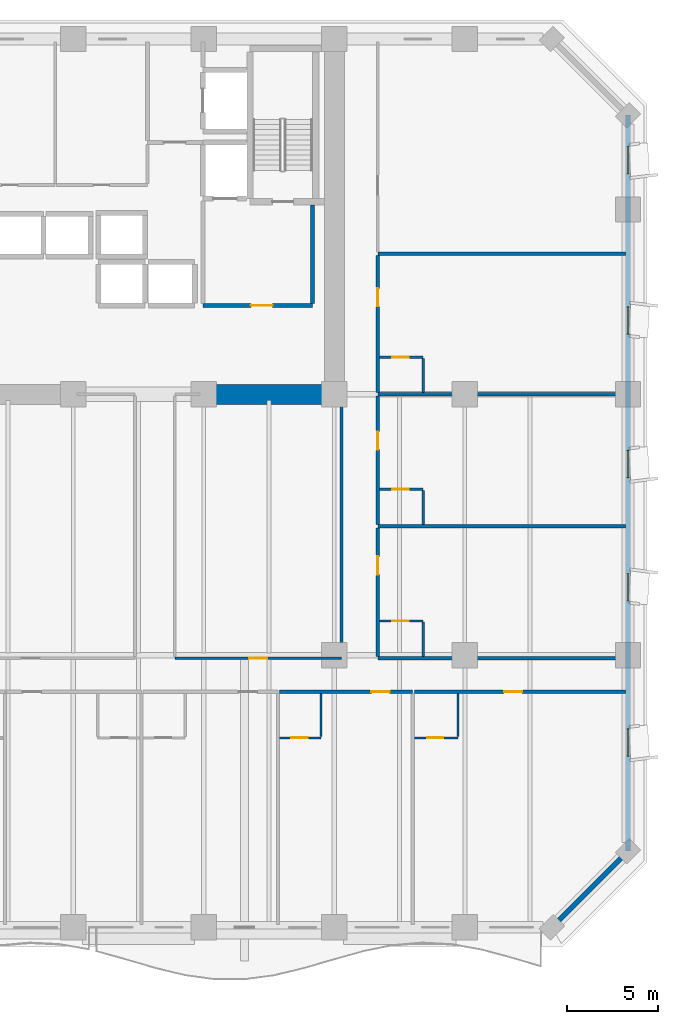
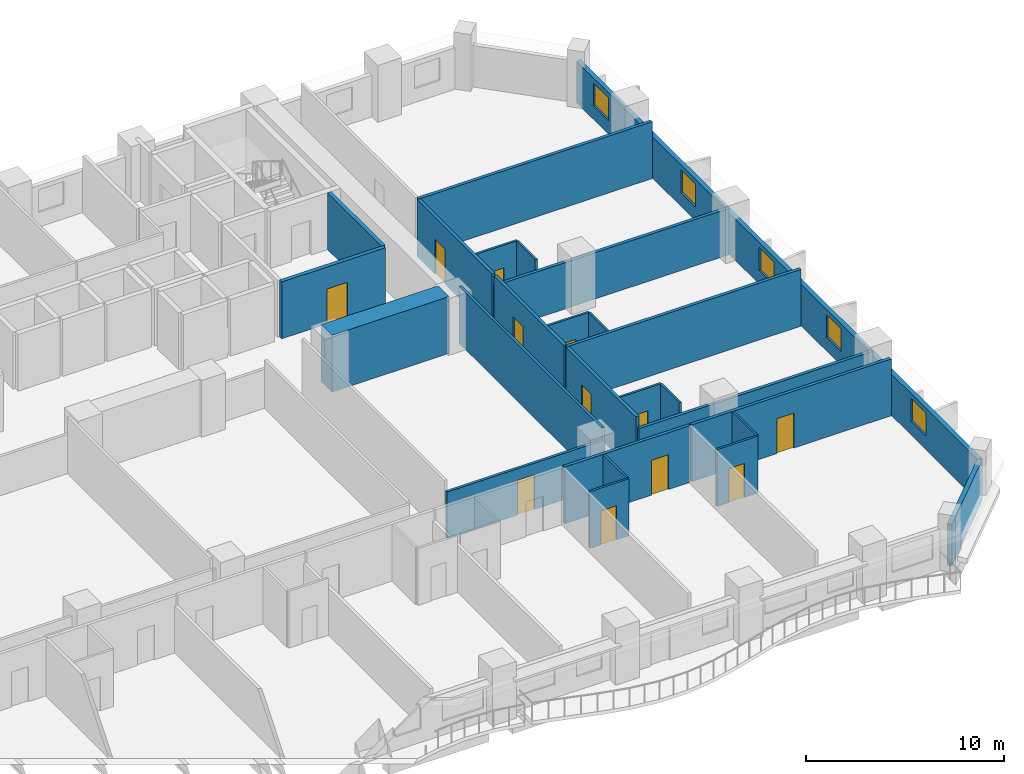
# One storey, part 10 of 15: 26 walls, 12 doors, 5 windows, 17 openings.
"""IFC4 building model written with IfcOpenShell, lengths in metres."""

from ifc_helpers import new_model, si_unit, direction, frame, frame_2d, origin, place, context, subcontext, project, spatial, rectangle, extrude, material, layer, layer_set, type_object, element, fill, save


model = new_model("IFC4")

# Units and contexts
model_context = context("Model", 3, precision=1e-05, world=origin(), true_north=direction((0.0, 1.0)))
body_context = subcontext(model_context, "Body", "Model", "MODEL_VIEW")
ifc_project = project(units=[si_unit("LENGTHUNIT", "METRE"), si_unit("AREAUNIT", "SQUARE_METRE"), si_unit("VOLUMEUNIT", "CUBIC_METRE"), si_unit("PLANEANGLEUNIT", "RADIAN"), si_unit("MASSUNIT", "GRAM", prefix="KILO")], contexts=[model_context])

# Site, building, storey
site_placement = place(None, origin())
site = spatial("IfcSite", under=ifc_project, at=site_placement, CompositionType="ELEMENT")
building_placement = place(site_placement, origin())
building = spatial("IfcBuilding", under=site, at=building_placement, Name="Kaelvorn Grand Hotel", CompositionType="ELEMENT")
storey_placement = place(building_placement, frame((0.0, 0.0, 61.39990234375)))
storey = spatial("IfcBuildingStorey", under=building, at=storey_placement, Name="L13", CompositionType="ELEMENT", Elevation=61.39990234375)

# Walls
ifc_material_1 = material(Name="Concrete C80/95", Category="concrete")
ifc_layer_1 = layer(ifc_material_1, 1.10009765625)
ifc_layer_set_1 = layer_set([ifc_layer_1], Name="Concrete C80/95")
wall_type_1 = type_object("IfcWallType", Name="WL-CORE-1100-C80", PredefinedType="SHEAR", material=ifc_layer_set_1)
wall_1_placement = place(storey_placement, frame((60.39990234375, 29.39990234375, 0.0), z_axis=(0.0, 0.0, 1.0), x_axis=(1.0, 0.0, 0.0)))
element("IfcWall", 1, at=wall_1_placement, inside=storey, type_object=wall_type_1, Name="L13 Rear-Core Coupled Shear Pier S4", PredefinedType="SHEAR", context=body_context, shape_type="SweptSolid", body=[
    extrude(rectangle(XDim=6.84521484375, YDim=1.10009765625, at=frame_2d((3.422607421875, 0.0))), origin(), (0.0, 0.0, 1.0), 3.510009765625),
])
ifc_material_2 = material(Name="Concrete C40/50", Category="concrete")
ifc_layer_2 = layer(ifc_material_2, 0.260009765625)
ifc_layer_set_2 = layer_set([ifc_layer_2], Name="Concrete C40/50")
wall_type_2 = type_object("IfcWallType", Name="WL-EXT-260-C40", PredefinedType="SOLIDWALL", material=ifc_layer_set_2)
wall_2_placement = place(storey_placement, frame((79.800048828125, 0.0, 0.0), z_axis=(0.0, 0.0, 1.0), x_axis=(0.707106781187, 0.707106781187, 0.0)))
element("IfcWall", 2, at=wall_2_placement, inside=storey, type_object=wall_type_2, Name="L13 Exterior Architectural Concrete Wall 02", PredefinedType="SOLIDWALL", context=body_context, shape_type="SweptSolid", body=[
    extrude(rectangle(XDim=5.939697265625, YDim=0.260009765625, at=frame_2d((2.9697265625, 0.0))), origin(), (0.0, 0.0, 1.0), 2.56005859375),
])

# Wall, openings, windows
wall_3_placement = place(storey_placement, frame((84.0, 4.199951171875, 0.0), z_axis=(0.0, 0.0, 1.0), x_axis=(0.0, 1.0, 0.0)))
wall_3 = element("IfcWall", 3, at=wall_3_placement, inside=storey, type_object=wall_type_2, Name="L13 Exterior Architectural Concrete Wall 03", PredefinedType="SOLIDWALL", context=body_context, shape_type="SweptSolid", body=[
    extrude(rectangle(XDim=40.60009765625, YDim=0.260009765625, at=frame_2d((20.300048828125, 0.0))), origin(), (0.0, 0.0, 1.0), 2.56005859375),
])
opening_1_placement = place(wall_3_placement, frame((5.25, 0.0, 0.85009765625)))
opening_1 = element("IfcOpeningElement", 4, at=opening_1_placement, cuts=wall_3, Name="Opening W10", PredefinedType="OPENING", context=body_context, shape_type="SweptSolid", body=[
    extrude(rectangle(XDim=1.5, YDim=1.39990234375, at=frame_2d((0.75, 0.699951171875))), frame((0.0, 0.14013671875, 0.0), z_axis=(0.0, -1.0, 0.0), x_axis=(1.0, 0.0, 0.0)), (0.0, 0.0, 1.0), 0.280029296875),
])
opening_2_placement = place(wall_3_placement, frame((13.81005859375, 0.0, 0.85009765625)))
opening_2 = element("IfcOpeningElement", 5, at=opening_2_placement, cuts=wall_3, Name="Opening W10", PredefinedType="OPENING", context=body_context, shape_type="SweptSolid", body=[
    extrude(rectangle(XDim=1.5, YDim=1.39990234375, at=frame_2d((0.75, 0.699951171875))), frame((0.0, 0.14013671875, 0.0), z_axis=(0.0, -1.0, 0.0), x_axis=(1.0, 0.0, 0.0)), (0.0, 0.0, 1.0), 0.280029296875),
])
opening_3_placement = place(wall_3_placement, frame((20.610107421875, 0.0, 0.85009765625)))
opening_3 = element("IfcOpeningElement", 6, at=opening_3_placement, cuts=wall_3, Name="Opening W10", PredefinedType="OPENING", context=body_context, shape_type="SweptSolid", body=[
    extrude(rectangle(XDim=1.5, YDim=1.39990234375, at=frame_2d((0.75, 0.699951171875))), frame((0.0, 0.14013671875, 0.0), z_axis=(0.0, -1.0, 0.0), x_axis=(1.0, 0.0, 0.0)), (0.0, 0.0, 1.0), 0.280029296875),
])
opening_4_placement = place(wall_3_placement, frame((28.52490234375, 0.0, 0.85009765625)))
opening_4 = element("IfcOpeningElement", 7, at=opening_4_placement, cuts=wall_3, Name="Opening W10", PredefinedType="OPENING", context=body_context, shape_type="SweptSolid", body=[
    extrude(rectangle(XDim=1.5, YDim=1.39990234375, at=frame_2d((0.75, 0.699951171875))), frame((0.0, 0.14013671875, 0.0), z_axis=(0.0, -1.0, 0.0), x_axis=(1.0, 0.0, 0.0)), (0.0, 0.0, 1.0), 0.280029296875),
])
opening_5_placement = place(wall_3_placement, frame((37.364990234375, 0.0, 0.85009765625)))
opening_5 = element("IfcOpeningElement", 8, at=opening_5_placement, cuts=wall_3, Name="Opening W10", PredefinedType="OPENING", context=body_context, shape_type="SweptSolid", body=[
    extrude(rectangle(XDim=1.5, YDim=1.39990234375, at=frame_2d((0.75, 0.699951171875))), frame((0.0, 0.14013671875, 0.0), z_axis=(0.0, -1.0, 0.0), x_axis=(1.0, 0.0, 0.0)), (0.0, 0.0, 1.0), 0.280029296875),
])
ifc_material_3 = material(Name="Laminated Low-E Glass", Category="glass")
window_type = type_object("IfcWindowType", Name="WIN-COR-1500x1400", PartitioningType="SINGLE_PANEL", PredefinedType="WINDOW", material=ifc_material_3)
window_1_placement = place(opening_1_placement, origin())
window_1 = element("IfcWindow", 9, at=window_1_placement, inside=storey, type_object=window_type, Name="L13 E Wing Tilted-Frame Ribbon Window E01", OverallHeight=1.39990234375, OverallWidth=1.5, PartitioningType="SINGLE_PANEL", PredefinedType="WINDOW", context=body_context, shape_type="SweptSolid", body=[
    extrude(rectangle(XDim=1.5, YDim=1.39990234375, at=frame_2d((0.75, 0.699951171875))), frame((0.0, 0.030029296875, 0.0), z_axis=(0.0, -1.0, 0.0), x_axis=(1.0, 0.0, 0.0)), (0.0, 0.0, 1.0), 0.06005859375),
])
fill(opening_1, window_1)
window_2_placement = place(opening_2_placement, origin())
window_2 = element("IfcWindow", 10, at=window_2_placement, inside=storey, type_object=window_type, Name="L13 E Wing Tilted-Frame Ribbon Window E02", OverallHeight=1.39990234375, OverallWidth=1.5, PartitioningType="SINGLE_PANEL", PredefinedType="WINDOW", context=body_context, shape_type="SweptSolid", body=[
    extrude(rectangle(XDim=1.5, YDim=1.39990234375, at=frame_2d((0.75, 0.699951171875))), frame((0.0, 0.030029296875, 0.0), z_axis=(0.0, -1.0, 0.0), x_axis=(1.0, 0.0, 0.0)), (0.0, 0.0, 1.0), 0.06005859375),
])
fill(opening_2, window_2)
window_3_placement = place(opening_3_placement, origin())
window_3 = element("IfcWindow", 11, at=window_3_placement, inside=storey, type_object=window_type, Name="L13 E Wing Tilted-Frame Ribbon Window E03", OverallHeight=1.39990234375, OverallWidth=1.5, PartitioningType="SINGLE_PANEL", PredefinedType="WINDOW", context=body_context, shape_type="SweptSolid", body=[
    extrude(rectangle(XDim=1.5, YDim=1.39990234375, at=frame_2d((0.75, 0.699951171875))), frame((0.0, 0.030029296875, 0.0), z_axis=(0.0, -1.0, 0.0), x_axis=(1.0, 0.0, 0.0)), (0.0, 0.0, 1.0), 0.06005859375),
])
fill(opening_3, window_3)
window_4_placement = place(opening_4_placement, origin())
window_4 = element("IfcWindow", 12, at=window_4_placement, inside=storey, type_object=window_type, Name="L13 E Wing Tilted-Frame Ribbon Window E04", OverallHeight=1.39990234375, OverallWidth=1.5, PartitioningType="SINGLE_PANEL", PredefinedType="WINDOW", context=body_context, shape_type="SweptSolid", body=[
    extrude(rectangle(XDim=1.5, YDim=1.39990234375, at=frame_2d((0.75, 0.699951171875))), frame((0.0, 0.030029296875, 0.0), z_axis=(0.0, -1.0, 0.0), x_axis=(1.0, 0.0, 0.0)), (0.0, 0.0, 1.0), 0.06005859375),
])
fill(opening_4, window_4)
window_5_placement = place(opening_5_placement, origin())
window_5 = element("IfcWindow", 13, at=window_5_placement, inside=storey, type_object=window_type, Name="L13 E Wing Tilted-Frame Ribbon Window E05", OverallHeight=1.39990234375, OverallWidth=1.5, PartitioningType="SINGLE_PANEL", PredefinedType="WINDOW", context=body_context, shape_type="SweptSolid", body=[
    extrude(rectangle(XDim=1.5, YDim=1.39990234375, at=frame_2d((0.75, 0.699951171875))), frame((0.0, 0.030029296875, 0.0), z_axis=(0.0, -1.0, 0.0), x_axis=(1.0, 0.0, 0.0)), (0.0, 0.0, 1.0), 0.06005859375),
])
fill(opening_5, window_5)

# Wall, opening, door
ifc_material_4 = material(Name="Moisture-Resistant Tile & Stud Board")
ifc_layer_3 = layer(ifc_material_4, 0.125)
ifc_layer_set_3 = layer_set([ifc_layer_3], Name="Moisture-Resistant Tile & Stud Board")
wall_type_3 = type_object("IfcWallType", Name="WL-PART-125-WET", PredefinedType="PARTITIONING", material=ifc_layer_set_3)
wall_4_placement = place(storey_placement, frame((64.78564453125, 10.449951171875, 0.0), z_axis=(0.0, 0.0, 1.0), x_axis=(1.0, 0.0, 0.0)))
wall_4 = element("IfcWall", 14, at=wall_4_placement, inside=storey, type_object=wall_type_3, Name="L13 En-suite Bathroom L13-09 S Partition", PredefinedType="PARTITIONING", context=body_context, shape_type="SweptSolid", body=[
    extrude(rectangle(XDim=2.284912109375, YDim=0.125, at=frame_2d((1.142578125, 0.0))), origin(), (0.0, 0.0, 1.0), 3.510009765625),
])
opening_6_placement = place(wall_4_placement, frame((0.64990234375, 0.0, 0.0)))
opening_6 = element("IfcOpeningElement", 15, at=opening_6_placement, cuts=wall_4, Name="Opening DI4", PredefinedType="OPENING", context=body_context, shape_type="SweptSolid", body=[
    extrude(rectangle(XDim=0.89990234375, YDim=2.10009765625, at=frame_2d((0.449951171875, 1.050048828125))), frame((0.0, 0.072509765625, 0.0), z_axis=(0.0, -1.0, 0.0), x_axis=(1.0, 0.0, 0.0)), (0.0, 0.0, 1.0), 0.14501953125),
])
ifc_material_5 = material(Name="Timber Veneer Leaf", Category="wood")
door_type_1 = type_object("IfcDoorType", Name="DR-INT-BATH-900x2100", OperationType="NOTDEFINED", PredefinedType="DOOR", material=ifc_material_5)
door_1_placement = place(opening_6_placement, origin())
door_1 = element("IfcDoor", 16, at=door_1_placement, inside=storey, type_object=door_type_1, Name="L13 En-suite Bathroom L13-09 Door", OperationType="SINGLE_SWING_LEFT", OverallHeight=2.10009765625, OverallWidth=0.89990234375, PredefinedType="DOOR", context=body_context, shape_type="SweptSolid", body=[
    extrude(rectangle(XDim=0.89990234375, YDim=2.10009765625, at=frame_2d((0.449951171875, 1.050048828125))), frame((0.0, 0.02490234375, 0.0), z_axis=(0.0, -1.0, 0.0), x_axis=(1.0, 0.0, 0.0)), (0.0, 0.0, 1.0), 0.050048828125),
])
fill(opening_6, door_1)

# Wall
wall_5_placement = place(storey_placement, frame((67.070556640625, 10.517578125, 0.0), z_axis=(0.0, 0.0, 1.0), x_axis=(0.0, 1.0, 0.0)))
element("IfcWall", 17, at=wall_5_placement, inside=storey, type_object=wall_type_3, Name="L13 En-suite Bathroom L13-09 E Partition", PredefinedType="PARTITIONING", context=body_context, shape_type="SweptSolid", body=[
    extrude(rectangle(XDim=2.387451171875, YDim=0.125, at=frame_2d((1.19384765625, 0.0))), origin(), (0.0, 0.0, 1.0), 3.510009765625),
])

# Wall, opening, door
wall_6_placement = place(storey_placement, frame((72.21533203125, 10.449951171875, 0.0), z_axis=(0.0, 0.0, 1.0), x_axis=(1.0, 0.0, 0.0)))
wall_6 = element("IfcWall", 18, at=wall_6_placement, inside=storey, type_object=wall_type_3, Name="L13 En-suite Bathroom L13-10 S Partition", PredefinedType="PARTITIONING", context=body_context, shape_type="SweptSolid", body=[
    extrude(rectangle(XDim=2.405029296875, YDim=0.125, at=frame_2d((1.20263671875, 0.0))), origin(), (0.0, 0.0, 1.0), 3.510009765625),
])
opening_7_placement = place(wall_6_placement, frame((0.705078125, 0.0, 0.0)))
opening_7 = element("IfcOpeningElement", 19, at=opening_7_placement, cuts=wall_6, Name="Opening DI4", PredefinedType="OPENING", context=body_context, shape_type="SweptSolid", body=[
    extrude(rectangle(XDim=0.89990234375, YDim=2.10009765625, at=frame_2d((0.449951171875, 1.050048828125))), frame((0.0, 0.072509765625, 0.0), z_axis=(0.0, -1.0, 0.0), x_axis=(1.0, 0.0, 0.0)), (0.0, 0.0, 1.0), 0.14501953125),
])
door_2_placement = place(opening_7_placement, origin())
door_2 = element("IfcDoor", 20, at=door_2_placement, inside=storey, type_object=door_type_1, Name="L13 En-suite Bathroom L13-10 Door", OperationType="SINGLE_SWING_LEFT", OverallHeight=2.10009765625, OverallWidth=0.89990234375, PredefinedType="DOOR", context=body_context, shape_type="SweptSolid", body=[
    extrude(rectangle(XDim=0.89990234375, YDim=2.10009765625, at=frame_2d((0.449951171875, 1.050048828125))), frame((0.0, 0.02490234375, 0.0), z_axis=(0.0, -1.0, 0.0), x_axis=(1.0, 0.0, 0.0)), (0.0, 0.0, 1.0), 0.050048828125),
])
fill(opening_7, door_2)

# Wall
wall_7_placement = place(storey_placement, frame((74.620361328125, 10.517578125, 0.0), z_axis=(0.0, 0.0, 1.0), x_axis=(0.0, 1.0, 0.0)))
element("IfcWall", 21, at=wall_7_placement, inside=storey, type_object=wall_type_3, Name="L13 En-suite Bathroom L13-10 E Partition", PredefinedType="PARTITIONING", context=body_context, shape_type="SweptSolid", body=[
    extrude(rectangle(XDim=2.387451171875, YDim=0.125, at=frame_2d((1.19384765625, 0.0))), origin(), (0.0, 0.0, 1.0), 3.510009765625),
])

# Wall, opening, door
wall_8_placement = place(storey_placement, frame((70.294921875, 16.89990234375, 0.0), z_axis=(0.0, 0.0, 1.0), x_axis=(1.0, 0.0, 0.0)))
wall_8 = element("IfcWall", 22, at=wall_8_placement, inside=storey, type_object=wall_type_3, Name="L13 En-suite Bathroom L13-13 N Partition", PredefinedType="PARTITIONING", context=body_context, shape_type="SweptSolid", body=[
    extrude(rectangle(XDim=2.405029296875, YDim=0.125, at=frame_2d((1.20263671875, 0.0))), origin(), (0.0, 0.0, 1.0), 3.510009765625),
])
opening_8_placement = place(wall_8_placement, frame((0.705078125, 0.0, 0.0)))
opening_8 = element("IfcOpeningElement", 23, at=opening_8_placement, cuts=wall_8, Name="Opening DI4", PredefinedType="OPENING", context=body_context, shape_type="SweptSolid", body=[
    extrude(rectangle(XDim=0.89990234375, YDim=2.10009765625, at=frame_2d((0.449951171875, 1.050048828125))), frame((0.0, 0.072509765625, 0.0), z_axis=(0.0, -1.0, 0.0), x_axis=(1.0, 0.0, 0.0)), (0.0, 0.0, 1.0), 0.14501953125),
])
door_3_placement = place(opening_8_placement, origin())
door_3 = element("IfcDoor", 24, at=door_3_placement, inside=storey, type_object=door_type_1, Name="L13 En-suite Bathroom L13-13 Door", OperationType="SINGLE_SWING_RIGHT", OverallHeight=2.10009765625, OverallWidth=0.89990234375, PredefinedType="DOOR", context=body_context, shape_type="SweptSolid", body=[
    extrude(rectangle(XDim=0.89990234375, YDim=2.10009765625, at=frame_2d((0.449951171875, 1.050048828125))), frame((0.0, 0.02490234375, 0.0), z_axis=(0.0, -1.0, 0.0), x_axis=(1.0, 0.0, 0.0)), (0.0, 0.0, 1.0), 0.050048828125),
])
fill(opening_8, door_3)

# Wall
wall_9_placement = place(storey_placement, frame((72.699951171875, 14.945068359375, 0.0), z_axis=(0.0, 0.0, 1.0), x_axis=(0.0, 1.0, 0.0)))
element("IfcWall", 25, at=wall_9_placement, inside=storey, type_object=wall_type_3, Name="L13 En-suite Bathroom L13-13 E Partition", PredefinedType="PARTITIONING", context=body_context, shape_type="SweptSolid", body=[
    extrude(rectangle(XDim=1.887451171875, YDim=0.125, at=frame_2d((0.94384765625, 0.0))), origin(), (0.0, 0.0, 1.0), 3.510009765625),
])

# Wall, opening, door
wall_10_placement = place(storey_placement, frame((70.294921875, 24.169921875, 0.0), z_axis=(0.0, 0.0, 1.0), x_axis=(1.0, 0.0, 0.0)))
wall_10 = element("IfcWall", 26, at=wall_10_placement, inside=storey, type_object=wall_type_3, Name="L13 En-suite Bathroom L13-14 N Partition", PredefinedType="PARTITIONING", context=body_context, shape_type="SweptSolid", body=[
    extrude(rectangle(XDim=2.405029296875, YDim=0.125, at=frame_2d((1.20263671875, 0.0))), origin(), (0.0, 0.0, 1.0), 3.510009765625),
])
opening_9_placement = place(wall_10_placement, frame((0.705078125, 0.0, 0.0)))
opening_9 = element("IfcOpeningElement", 27, at=opening_9_placement, cuts=wall_10, Name="Opening DI4", PredefinedType="OPENING", context=body_context, shape_type="SweptSolid", body=[
    extrude(rectangle(XDim=0.89990234375, YDim=2.10009765625, at=frame_2d((0.449951171875, 1.050048828125))), frame((0.0, 0.072509765625, 0.0), z_axis=(0.0, -1.0, 0.0), x_axis=(1.0, 0.0, 0.0)), (0.0, 0.0, 1.0), 0.14501953125),
])
door_4_placement = place(opening_9_placement, origin())
door_4 = element("IfcDoor", 28, at=door_4_placement, inside=storey, type_object=door_type_1, Name="L13 En-suite Bathroom L13-14 Door", OperationType="SINGLE_SWING_RIGHT", OverallHeight=2.10009765625, OverallWidth=0.89990234375, PredefinedType="DOOR", context=body_context, shape_type="SweptSolid", body=[
    extrude(rectangle(XDim=0.89990234375, YDim=2.10009765625, at=frame_2d((0.449951171875, 1.050048828125))), frame((0.0, 0.02490234375, 0.0), z_axis=(0.0, -1.0, 0.0), x_axis=(1.0, 0.0, 0.0)), (0.0, 0.0, 1.0), 0.050048828125),
])
fill(opening_9, door_4)

# Wall
wall_11_placement = place(storey_placement, frame((72.699951171875, 22.215087890625, 0.0), z_axis=(0.0, 0.0, 1.0), x_axis=(0.0, 1.0, 0.0)))
element("IfcWall", 29, at=wall_11_placement, inside=storey, type_object=wall_type_3, Name="L13 En-suite Bathroom L13-14 E Partition", PredefinedType="PARTITIONING", context=body_context, shape_type="SweptSolid", body=[
    extrude(rectangle(XDim=1.887451171875, YDim=0.125, at=frame_2d((0.94384765625, 0.0))), origin(), (0.0, 0.0, 1.0), 3.510009765625),
])

# Wall, opening, door
wall_12_placement = place(storey_placement, frame((70.294921875, 31.449951171875, 0.0), z_axis=(0.0, 0.0, 1.0), x_axis=(1.0, 0.0, 0.0)))
wall_12 = element("IfcWall", 30, at=wall_12_placement, inside=storey, type_object=wall_type_3, Name="L13 En-suite Bathroom L13-16 N Partition", PredefinedType="PARTITIONING", context=body_context, shape_type="SweptSolid", body=[
    extrude(rectangle(XDim=2.405029296875, YDim=0.125, at=frame_2d((1.20263671875, 0.0))), origin(), (0.0, 0.0, 1.0), 3.510009765625),
])
opening_10_placement = place(wall_12_placement, frame((0.705078125, 0.0, 0.0)))
opening_10 = element("IfcOpeningElement", 31, at=opening_10_placement, cuts=wall_12, Name="Opening DI4", PredefinedType="OPENING", context=body_context, shape_type="SweptSolid", body=[
    extrude(rectangle(XDim=0.89990234375, YDim=2.10009765625, at=frame_2d((0.449951171875, 1.050048828125))), frame((0.0, 0.072509765625, 0.0), z_axis=(0.0, -1.0, 0.0), x_axis=(1.0, 0.0, 0.0)), (0.0, 0.0, 1.0), 0.14501953125),
])
door_5_placement = place(opening_10_placement, origin())
door_5 = element("IfcDoor", 32, at=door_5_placement, inside=storey, type_object=door_type_1, Name="L13 En-suite Bathroom L13-16 Door", OperationType="SINGLE_SWING_LEFT", OverallHeight=2.10009765625, OverallWidth=0.89990234375, PredefinedType="DOOR", context=body_context, shape_type="SweptSolid", body=[
    extrude(rectangle(XDim=0.89990234375, YDim=2.10009765625, at=frame_2d((0.449951171875, 1.050048828125))), frame((0.0, 0.02490234375, 0.0), z_axis=(0.0, -1.0, 0.0), x_axis=(1.0, 0.0, 0.0)), (0.0, 0.0, 1.0), 0.050048828125),
])
fill(opening_10, door_5)

# Wall
wall_13_placement = place(storey_placement, frame((72.699951171875, 29.4951171875, 0.0), z_axis=(0.0, 0.0, 1.0), x_axis=(0.0, 1.0, 0.0)))
element("IfcWall", 33, at=wall_13_placement, inside=storey, type_object=wall_type_3, Name="L13 En-suite Bathroom L13-16 E Partition", PredefinedType="PARTITIONING", context=body_context, shape_type="SweptSolid", body=[
    extrude(rectangle(XDim=1.887451171875, YDim=0.125, at=frame_2d((0.94384765625, 0.0))), origin(), (0.0, 0.0, 1.0), 3.510009765625),
])

# Wall, opening, door
ifc_material_6 = material(Name="Acoustic Gypsum & Stud Partition")
ifc_layer_4 = layer(ifc_material_6, 0.14990234375)
ifc_layer_set_4 = layer_set([ifc_layer_4], Name="Acoustic Gypsum & Stud Partition")
wall_type_4 = type_object("IfcWallType", Name="WL-PART-150-EI60", PredefinedType="PARTITIONING", material=ifc_layer_set_4)
wall_14_placement = place(storey_placement, frame((59.0, 14.85009765625, 0.0), z_axis=(0.0, 0.0, 1.0), x_axis=(1.0, 0.0, 0.0)))
wall_14 = element("IfcWall", 34, at=wall_14_placement, inside=storey, type_object=wall_type_4, Name="L13 Executive Meeting Room S Partition", PredefinedType="PARTITIONING", context=body_context, shape_type="SweptSolid", body=[
    extrude(rectangle(XDim=9.199951171875, YDim=0.14990234375, at=frame_2d((4.60009765625, 0.0))), origin(), (0.0, 0.0, 1.0), 2.860107421875),
])
opening_11_placement = place(wall_14_placement, frame((4.10009765625, 0.0, 0.0)))
opening_11 = element("IfcOpeningElement", 35, at=opening_11_placement, cuts=wall_14, Name="Opening DI3", PredefinedType="OPENING", context=body_context, shape_type="SweptSolid", body=[
    extrude(rectangle(XDim=1.0, YDim=2.14990234375, at=frame_2d((0.5, 1.074951171875))), frame((0.0, 0.0849609375, 0.0), z_axis=(0.0, -1.0, 0.0), x_axis=(1.0, 0.0, 0.0)), (0.0, 0.0, 1.0), 0.169921875),
])
ifc_material_7 = material(Name="Timber Veneer Fire Leaf", Category="wood")
door_type_2 = type_object("IfcDoorType", Name="DR-INT-GUEST-1000x2150", OperationType="NOTDEFINED", PredefinedType="DOOR", material=ifc_material_7)
door_6_placement = place(opening_11_placement, origin())
door_6 = element("IfcDoor", 36, at=door_6_placement, inside=storey, type_object=door_type_2, Name="L13 Executive Meeting Room Door", OperationType="SINGLE_SWING_RIGHT", OverallHeight=2.14990234375, OverallWidth=1.0, PredefinedType="DOOR", context=body_context, shape_type="SweptSolid", body=[
    extrude(rectangle(XDim=1.0, YDim=2.14990234375, at=frame_2d((0.5, 1.074951171875))), frame((0.0, 0.02490234375, 0.0), z_axis=(0.0, -1.0, 0.0), x_axis=(1.0, 0.0, 0.0)), (0.0, 0.0, 1.0), 0.050048828125),
])
fill(opening_11, door_6)

# Wall
wall_15_placement = place(storey_placement, frame((68.199951171875, 14.929931640625, 0.0), z_axis=(0.0, 0.0, 1.0), x_axis=(0.0, 1.0, 0.0)))
element("IfcWall", 37, at=wall_15_placement, inside=storey, type_object=wall_type_4, Name="L13 Executive Meeting Room E Partition", PredefinedType="PARTITIONING", context=body_context, shape_type="SweptSolid", body=[
    extrude(rectangle(XDim=14.4599609375, YDim=0.14990234375, at=frame_2d((7.22998046875, 0.0))), origin(), (0.0, 0.0, 1.0), 3.510009765625),
])

# Wall, opening, door
ifc_layer_5 = layer(ifc_material_6, 0.179931640625)
ifc_layer_set_5 = layer_set([ifc_layer_5], Name="Acoustic Gypsum & Stud Partition")
wall_type_5 = type_object("IfcWallType", Name="WL-PART-180-EI60", PredefinedType="PARTITIONING", material=ifc_layer_set_5)
wall_16_placement = place(storey_placement, frame((64.78564453125, 13.0, 0.0), z_axis=(0.0, 0.0, 1.0), x_axis=(1.0, 0.0, 0.0)))
wall_16 = element("IfcWall", 38, at=wall_16_placement, inside=storey, type_object=wall_type_5, Name="L13 Deluxe Panoramic Suite L13-09 N Partition", PredefinedType="PARTITIONING", context=body_context, shape_type="SweptSolid", body=[
    extrude(rectangle(XDim=7.334716796875, YDim=0.179931640625, at=frame_2d((3.66748046875, 0.0))), origin(), (0.0, 0.0, 1.0), 3.510009765625),
])
opening_12_placement = place(wall_16_placement, frame((5.064453125, 0.0, 0.0)))
opening_12 = element("IfcOpeningElement", 39, at=opening_12_placement, cuts=wall_16, Name="Opening DI3", PredefinedType="OPENING", context=body_context, shape_type="SweptSolid", body=[
    extrude(rectangle(XDim=1.0, YDim=2.14990234375, at=frame_2d((0.5, 1.074951171875))), frame((0.0, 0.10009765625, 0.0), z_axis=(0.0, -1.0, 0.0), x_axis=(1.0, 0.0, 0.0)), (0.0, 0.0, 1.0), 0.199951171875),
])
door_7_placement = place(opening_12_placement, origin())
door_7 = element("IfcDoor", 40, at=door_7_placement, inside=storey, type_object=door_type_2, Name="L13 Deluxe Panoramic Suite L13-09 Door", OperationType="SINGLE_SWING_RIGHT", OverallHeight=2.14990234375, OverallWidth=1.0, PredefinedType="DOOR", context=body_context, shape_type="SweptSolid", body=[
    extrude(rectangle(XDim=1.0, YDim=2.14990234375, at=frame_2d((0.5, 1.074951171875))), frame((0.0, 0.02490234375, 0.0), z_axis=(0.0, -1.0, 0.0), x_axis=(1.0, 0.0, 0.0)), (0.0, 0.0, 1.0), 0.050048828125),
])
fill(opening_12, door_7)

wall_17_placement = place(storey_placement, frame((72.21533203125, 13.0, 0.0), z_axis=(0.0, 0.0, 1.0), x_axis=(1.0, 0.0, 0.0)))
wall_17 = element("IfcWall", 41, at=wall_17_placement, inside=storey, type_object=wall_type_5, Name="L13 Deluxe Panoramic Suite L13-10 N Partition", PredefinedType="PARTITIONING", context=body_context, shape_type="SweptSolid", body=[
    extrude(rectangle(XDim=11.634765625, YDim=0.179931640625, at=frame_2d((5.8173828125, 0.0))), origin(), (0.0, 0.0, 1.0), 3.510009765625),
])
opening_13_placement = place(wall_17_placement, frame((4.94970703125, 0.0, 0.0)))
opening_13 = element("IfcOpeningElement", 42, at=opening_13_placement, cuts=wall_17, Name="Opening DI3", PredefinedType="OPENING", context=body_context, shape_type="SweptSolid", body=[
    extrude(rectangle(XDim=1.0, YDim=2.14990234375, at=frame_2d((0.5, 1.074951171875))), frame((0.0, 0.10009765625, 0.0), z_axis=(0.0, -1.0, 0.0), x_axis=(1.0, 0.0, 0.0)), (0.0, 0.0, 1.0), 0.199951171875),
])
door_8_placement = place(opening_13_placement, origin())
door_8 = element("IfcDoor", 43, at=door_8_placement, inside=storey, type_object=door_type_2, Name="L13 Deluxe Panoramic Suite L13-10 Door", OperationType="SINGLE_SWING_RIGHT", OverallHeight=2.14990234375, OverallWidth=1.0, PredefinedType="DOOR", context=body_context, shape_type="SweptSolid", body=[
    extrude(rectangle(XDim=1.0, YDim=2.14990234375, at=frame_2d((0.5, 1.074951171875))), frame((0.0, 0.02490234375, 0.0), z_axis=(0.0, -1.0, 0.0), x_axis=(1.0, 0.0, 0.0)), (0.0, 0.0, 1.0), 0.050048828125),
])
fill(opening_13, door_8)

# Walls
wall_18_placement = place(storey_placement, frame((70.199951171875, 14.85009765625, 0.0), z_axis=(0.0, 0.0, 1.0), x_axis=(1.0, 0.0, 0.0)))
element("IfcWall", 44, at=wall_18_placement, inside=storey, type_object=wall_type_5, Name="L13 East Wing Panoramic Suite L13-13 S Partition", PredefinedType="PARTITIONING", context=body_context, shape_type="SweptSolid", body=[
    extrude(rectangle(XDim=13.650146484375, YDim=0.179931640625, at=frame_2d((6.8251953125, 0.0))), origin(), (0.0, 0.0, 1.0), 2.860107421875),
])
wall_19_placement = place(storey_placement, frame((70.199951171875, 22.1201171875, 0.0), z_axis=(0.0, 0.0, 1.0), x_axis=(1.0, 0.0, 0.0)))
element("IfcWall", 45, at=wall_19_placement, inside=storey, type_object=wall_type_5, Name="L13 East Wing Panoramic Suite L13-13 N Partition", PredefinedType="PARTITIONING", context=body_context, shape_type="SweptSolid", body=[
    extrude(rectangle(XDim=13.650146484375, YDim=0.179931640625, at=frame_2d((6.8251953125, 0.0))), origin(), (0.0, 0.0, 1.0), 3.510009765625),
])

# Wall, opening, door
wall_20_placement = place(storey_placement, frame((70.199951171875, 14.945068359375, 0.0), z_axis=(0.0, 0.0, 1.0), x_axis=(0.0, 1.0, 0.0)))
wall_20 = element("IfcWall", 46, at=wall_20_placement, inside=storey, type_object=wall_type_5, Name="L13 East Wing Panoramic Suite L13-13 W Partition", PredefinedType="PARTITIONING", context=body_context, shape_type="SweptSolid", body=[
    extrude(rectangle(XDim=7.079833984375, YDim=0.179931640625, at=frame_2d((3.5400390625, 0.0))), origin(), (0.0, 0.0, 1.0), 3.510009765625),
])
opening_14_placement = place(wall_20_placement, frame((4.514892578125, 0.0, 0.0)))
opening_14 = element("IfcOpeningElement", 47, at=opening_14_placement, cuts=wall_20, Name="Opening DI3", PredefinedType="OPENING", context=body_context, shape_type="SweptSolid", body=[
    extrude(rectangle(XDim=1.0, YDim=2.14990234375, at=frame_2d((0.5, 1.074951171875))), frame((0.0, 0.10009765625, 0.0), z_axis=(0.0, -1.0, 0.0), x_axis=(1.0, 0.0, 0.0)), (0.0, 0.0, 1.0), 0.199951171875),
])
door_9_placement = place(opening_14_placement, origin())
door_9 = element("IfcDoor", 48, at=door_9_placement, inside=storey, type_object=door_type_2, Name="L13 East Wing Panoramic Suite L13-13 Door", OperationType="SINGLE_SWING_LEFT", OverallHeight=2.14990234375, OverallWidth=1.0, PredefinedType="DOOR", context=body_context, shape_type="SweptSolid", body=[
    extrude(rectangle(XDim=1.0, YDim=2.14990234375, at=frame_2d((0.5, 1.074951171875))), frame((0.0, 0.02490234375, 0.0), z_axis=(0.0, -1.0, 0.0), x_axis=(1.0, 0.0, 0.0)), (0.0, 0.0, 1.0), 0.050048828125),
])
fill(opening_14, door_9)

# Wall
wall_21_placement = place(storey_placement, frame((70.199951171875, 29.39990234375, 0.0), z_axis=(0.0, 0.0, 1.0), x_axis=(1.0, 0.0, 0.0)))
element("IfcWall", 49, at=wall_21_placement, inside=storey, type_object=wall_type_5, Name="L13 East Mid-Wing Suite L13-14 N Partition", PredefinedType="PARTITIONING", context=body_context, shape_type="SweptSolid", body=[
    extrude(rectangle(XDim=13.650146484375, YDim=0.179931640625, at=frame_2d((6.8251953125, 0.0))), origin(), (0.0, 0.0, 1.0), 2.860107421875),
])

# Wall, opening, door
wall_22_placement = place(storey_placement, frame((70.199951171875, 22.215087890625, 0.0), z_axis=(0.0, 0.0, 1.0), x_axis=(0.0, 1.0, 0.0)))
wall_22 = element("IfcWall", 50, at=wall_22_placement, inside=storey, type_object=wall_type_5, Name="L13 East Mid-Wing Suite L13-14 W Partition", PredefinedType="PARTITIONING", context=body_context, shape_type="SweptSolid", body=[
    extrude(rectangle(XDim=7.08984375, YDim=0.179931640625, at=frame_2d((3.544921875, 0.0))), origin(), (0.0, 0.0, 1.0), 3.510009765625),
])
opening_15_placement = place(wall_22_placement, frame((4.1298828125, 0.0, 0.0)))
opening_15 = element("IfcOpeningElement", 51, at=opening_15_placement, cuts=wall_22, Name="Opening DI3", PredefinedType="OPENING", context=body_context, shape_type="SweptSolid", body=[
    extrude(rectangle(XDim=1.0, YDim=2.14990234375, at=frame_2d((0.5, 1.074951171875))), frame((0.0, 0.10009765625, 0.0), z_axis=(0.0, -1.0, 0.0), x_axis=(1.0, 0.0, 0.0)), (0.0, 0.0, 1.0), 0.199951171875),
])
door_10_placement = place(opening_15_placement, origin())
door_10 = element("IfcDoor", 52, at=door_10_placement, inside=storey, type_object=door_type_2, Name="L13 East Mid-Wing Suite L13-14 Door", OperationType="SINGLE_SWING_LEFT", OverallHeight=2.14990234375, OverallWidth=1.0, PredefinedType="DOOR", context=body_context, shape_type="SweptSolid", body=[
    extrude(rectangle(XDim=1.0, YDim=2.14990234375, at=frame_2d((0.5, 1.074951171875))), frame((0.0, 0.02490234375, 0.0), z_axis=(0.0, -1.0, 0.0), x_axis=(1.0, 0.0, 0.0)), (0.0, 0.0, 1.0), 0.050048828125),
])
fill(opening_15, door_10)

# Wall
wall_23_placement = place(storey_placement, frame((70.199951171875, 37.14990234375, 0.0), z_axis=(0.0, 0.0, 1.0), x_axis=(1.0, 0.0, 0.0)))
element("IfcWall", 53, at=wall_23_placement, inside=storey, type_object=wall_type_5, Name="L13 North-East Wing Suite L13-16 N Partition", PredefinedType="PARTITIONING", context=body_context, shape_type="SweptSolid", body=[
    extrude(rectangle(XDim=13.650146484375, YDim=0.179931640625, at=frame_2d((6.8251953125, 0.0))), origin(), (0.0, 0.0, 1.0), 3.510009765625),
])

# Wall, opening, door
wall_24_placement = place(storey_placement, frame((70.199951171875, 29.4951171875, 0.0), z_axis=(0.0, 0.0, 1.0), x_axis=(0.0, 1.0, 0.0)))
wall_24 = element("IfcWall", 54, at=wall_24_placement, inside=storey, type_object=wall_type_5, Name="L13 North-East Wing Suite L13-16 W Partition", PredefinedType="PARTITIONING", context=body_context, shape_type="SweptSolid", body=[
    extrude(rectangle(XDim=7.559814453125, YDim=0.179931640625, at=frame_2d((3.77978515625, 0.0))), origin(), (0.0, 0.0, 1.0), 3.510009765625),
])
opening_16_placement = place(wall_24_placement, frame((4.7548828125, 0.0, 0.0)))
opening_16 = element("IfcOpeningElement", 55, at=opening_16_placement, cuts=wall_24, Name="Opening DI3", PredefinedType="OPENING", context=body_context, shape_type="SweptSolid", body=[
    extrude(rectangle(XDim=1.0, YDim=2.14990234375, at=frame_2d((0.5, 1.074951171875))), frame((0.0, 0.10009765625, 0.0), z_axis=(0.0, -1.0, 0.0), x_axis=(1.0, 0.0, 0.0)), (0.0, 0.0, 1.0), 0.199951171875),
])
door_11_placement = place(opening_16_placement, origin())
door_11 = element("IfcDoor", 56, at=door_11_placement, inside=storey, type_object=door_type_2, Name="L13 North-East Wing Suite L13-16 Door", OperationType="SINGLE_SWING_RIGHT", OverallHeight=2.14990234375, OverallWidth=1.0, PredefinedType="DOOR", context=body_context, shape_type="SweptSolid", body=[
    extrude(rectangle(XDim=1.0, YDim=2.14990234375, at=frame_2d((0.5, 1.074951171875))), frame((0.0, 0.02490234375, 0.0), z_axis=(0.0, -1.0, 0.0), x_axis=(1.0, 0.0, 0.0)), (0.0, 0.0, 1.0), 0.050048828125),
])
fill(opening_16, door_11)

ifc_layer_6 = layer(ifc_material_2, 0.219970703125)
ifc_layer_set_6 = layer_set([ifc_layer_6], Name="Concrete C40/50")
wall_type_6 = type_object("IfcWallType", Name="WL-PART-220-EI120", PredefinedType="PARTITIONING", material=ifc_layer_set_6)
wall_25_placement = place(storey_placement, frame((60.550048828125, 34.300048828125, 0.0), z_axis=(0.0, 0.0, 1.0), x_axis=(1.0, 0.0, 0.0)))
wall_25 = element("IfcWall", 57, at=wall_25_placement, inside=storey, type_object=wall_type_6, Name="L13 Firefighting Lift Lobby 2 S Partition", PredefinedType="PARTITIONING", context=body_context, shape_type="SweptSolid", body=[
    extrude(rectangle(XDim=6.050048828125, YDim=0.219970703125, at=frame_2d((3.02490234375, 0.0))), origin(), (0.0, 0.0, 1.0), 3.510009765625),
])
opening_17_placement = place(wall_25_placement, frame((2.64990234375, 0.0, 0.0)))
opening_17 = element("IfcOpeningElement", 58, at=opening_17_placement, cuts=wall_25, Name="Opening DI2", PredefinedType="OPENING", context=body_context, shape_type="SweptSolid", body=[
    extrude(rectangle(XDim=1.199951171875, YDim=2.14990234375, at=frame_2d((0.60009765625, 1.074951171875))), frame((0.0, 0.1201171875, 0.0), z_axis=(0.0, -1.0, 0.0), x_axis=(1.0, 0.0, 0.0)), (0.0, 0.0, 1.0), 0.239990234375),
])
door_type_3 = type_object("IfcDoorType", Name="DR-INT-FFLOB-1200x2150", OperationType="NOTDEFINED", PredefinedType="DOOR", material=ifc_material_7)
door_12_placement = place(opening_17_placement, origin())
door_12 = element("IfcDoor", 59, at=door_12_placement, inside=storey, type_object=door_type_3, Name="L13 Firefighting Lift Lobby 2 Door", OperationType="SINGLE_SWING_RIGHT", OverallHeight=2.14990234375, OverallWidth=1.199951171875, PredefinedType="DOOR", context=body_context, shape_type="SweptSolid", body=[
    extrude(rectangle(XDim=1.199951171875, YDim=2.14990234375, at=frame_2d((0.60009765625, 1.074951171875))), frame((0.0, 0.02490234375, 0.0), z_axis=(0.0, -1.0, 0.0), x_axis=(1.0, 0.0, 0.0)), (0.0, 0.0, 1.0), 0.050048828125),
])
fill(opening_17, door_12)

# Wall
wall_26_placement = place(storey_placement, frame((66.60009765625, 34.4150390625, 0.0), z_axis=(0.0, 0.0, 1.0), x_axis=(0.0, 1.0, 0.0)))
element("IfcWall", 60, at=wall_26_placement, inside=storey, type_object=wall_type_6, Name="L13 Firefighting Lift Lobby 2 E Partition", PredefinedType="PARTITIONING", context=body_context, shape_type="SweptSolid", body=[
    extrude(rectangle(XDim=5.429931640625, YDim=0.219970703125, at=frame_2d((2.71484375, 0.0))), origin(), (0.0, 0.0, 1.0), 3.510009765625),
])

save(model, "model.ifc")
